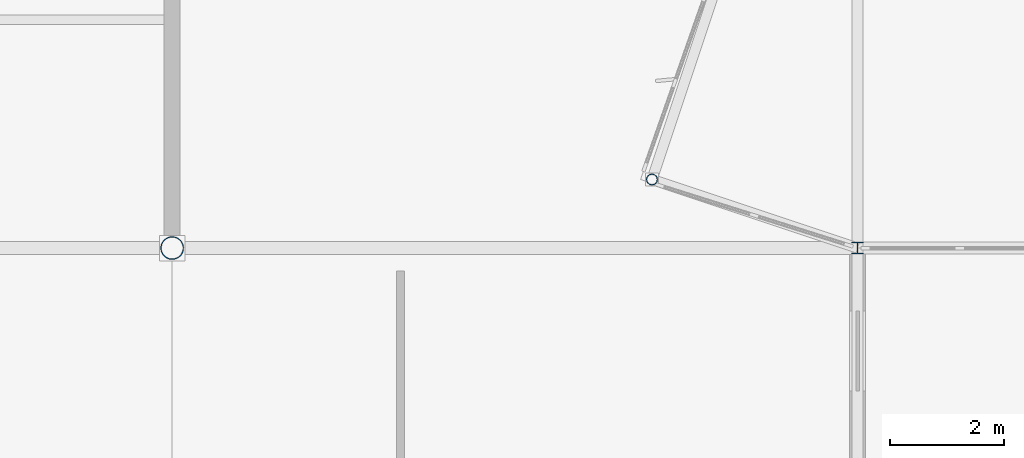
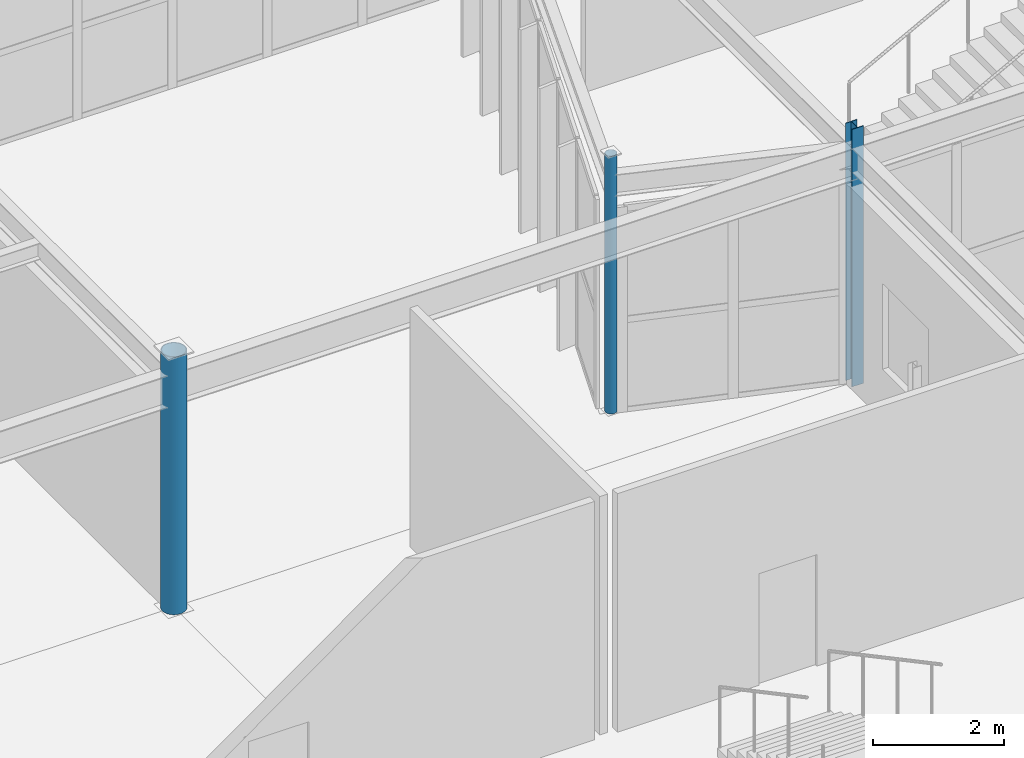
# One storey, part 52 of 199: 3 columns.
"""IFC4 building model written with IfcOpenShell, lengths in metres."""

from ifc_helpers import new_model, si_unit, direction, frame, origin, origin_2d, place, context, subcontext, project, spatial, hollow_circle, i_section, extrude, material, material_profile, profile_set, type_object, element, save


model = new_model("IFC4")

# Units and contexts
model_context = context("Model", 3, precision=1e-05, world=origin(), true_north=direction((0.0, 1.0)))
body_context = subcontext(model_context, "Body", "Model", "MODEL_VIEW")
ifc_project = project(units=[si_unit("LENGTHUNIT", "METRE"), si_unit("AREAUNIT", "SQUARE_METRE"), si_unit("VOLUMEUNIT", "CUBIC_METRE"), si_unit("PLANEANGLEUNIT", "RADIAN"), si_unit("MASSUNIT", "GRAM", prefix="KILO")], contexts=[model_context])

# Site, building, storey
site_placement = place(None, origin())
site = spatial("IfcSite", under=ifc_project, at=site_placement, CompositionType="ELEMENT")
building_placement = place(site_placement, origin())
building = spatial("IfcBuilding", under=site, at=building_placement, Name="Tarnwether General Hospital", CompositionType="ELEMENT")
storey_placement = place(building_placement, origin())
storey = spatial("IfcBuildingStorey", under=building, at=storey_placement, Name="L00", CompositionType="ELEMENT", Elevation=0.0)

# Columns
ifc_material_1 = material(Name="Steel Grade C350L0 (350 MPa)", Category="steel")
ifc_material_profile_1 = material_profile(ifc_material_1, hollow_circle(Radius=0.203125, WallThickness=0.01611328125, at=origin_2d()), Name="CHS406.4x16.0")
ifc_profile_set_1 = profile_set([ifc_material_profile_1], Name="Steel Grade C350L0 (350 MPa)")
column_type_1 = type_object("IfcColumnType", Name="COL-10", PredefinedType="COLUMN", material=ifc_profile_set_1)
column_1_placement = place(storey_placement, frame((132.0, 81.60009765625, 0.0), z_axis=(0.0, 0.0, 1.0), x_axis=(0.0, 1.0, 0.0)))
element("IfcColumn", 1, at=column_1_placement, inside=storey, type_object=column_type_1, Name="Column COLG-L00-13200_8160", PredefinedType="COLUMN", context=body_context, shape_type="SweptSolid", body=[
    extrude(hollow_circle(Radius=0.203125, WallThickness=0.01611328125, at=origin_2d()), origin(), (0.0, 0.0, 1.0), 4.800048828125),
])
ifc_material_2 = material(Name="Steel Grade 350 (350 MPa)", Category="steel")
ifc_material_profile_2 = material_profile(ifc_material_2, i_section(OverallWidth=0.202880859375, OverallDepth=0.202880859375, WebThickness=0.00732421875, FlangeThickness=0.010986328125, at=origin_2d()), Name="200UC46.2")
ifc_profile_set_2 = profile_set([ifc_material_profile_2], Name="Steel Grade 350 (350 MPa)")
column_type_2 = type_object("IfcColumnType", Name="COL-27", PredefinedType="COLUMN", material=ifc_profile_set_2)
column_2_placement = place(storey_placement, frame((144.0, 81.60009765625, 0.0), z_axis=(0.0, 0.0, 1.0), x_axis=(1.0, 0.0, 0.0)))
element("IfcColumn", 2, at=column_2_placement, inside=storey, type_object=column_type_2, Name="Column COLG-L00-14400_8160", PredefinedType="COLUMN", context=body_context, shape_type="SweptSolid", body=[
    extrude(i_section(OverallWidth=0.202880859375, OverallDepth=0.202880859375, WebThickness=0.00732421875, FlangeThickness=0.010986328125, at=origin_2d()), origin(), (0.0, 0.0, 1.0), 4.800048828125),
])
ifc_material_3 = material(Name="Steel Grade C350L0 (350 MPa)", Category="steel")
ifc_material_profile_3 = material_profile(ifc_material_3, hollow_circle(Radius=0.096923828125, WallThickness=0.008056640625, at=origin_2d()), Name="CHS193.7x8.0")
ifc_profile_set_3 = profile_set([ifc_material_profile_3], Name="Steel Grade C350L0 (350 MPa)")
column_type_3 = type_object("IfcColumnType", Name="COL-29", PredefinedType="COLUMN", material=ifc_profile_set_3)
column_3_placement = place(storey_placement, frame((140.39990234375, 82.800048828125, 0.0), z_axis=(0.0, 0.0, 1.0), x_axis=(0.913545457643, -0.406736643076, 0.0)))
element("IfcColumn", 3, at=column_3_placement, inside=storey, type_object=column_type_3, Name="Column COLG-L00-14040_8280", PredefinedType="COLUMN", context=body_context, shape_type="SweptSolid", body=[
    extrude(hollow_circle(Radius=0.096923828125, WallThickness=0.008056640625, at=origin_2d()), origin(), (0.0, 0.0, 1.0), 4.800048828125),
])

save(model, "model.ifc")
